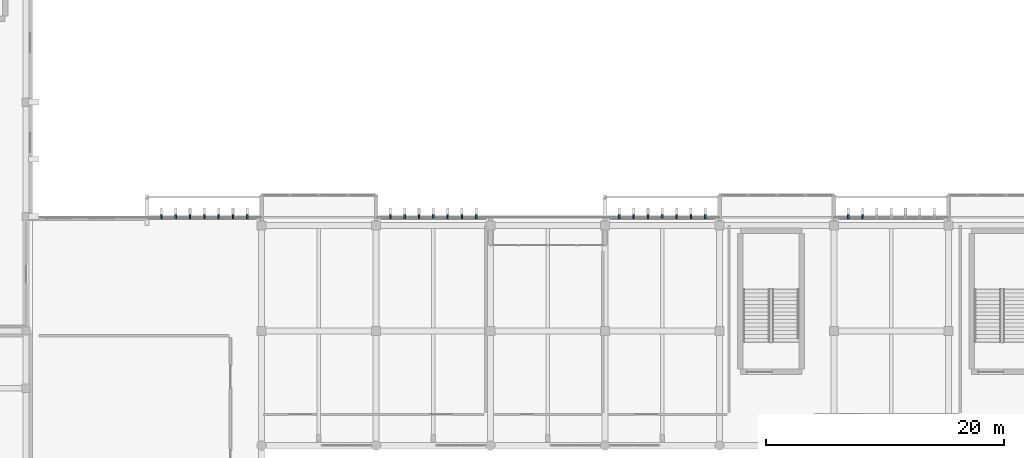
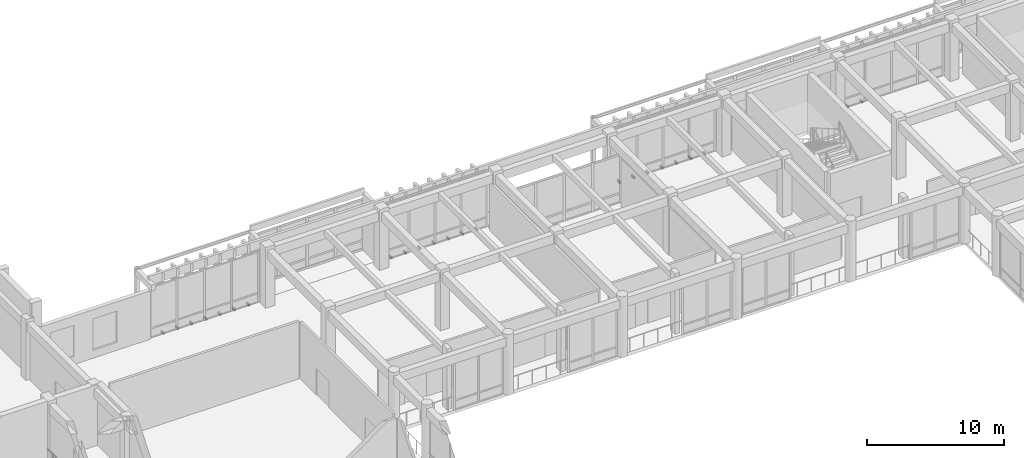
# One storey, part 113 of 134: 23 discrete accessories.
"""IFC4 building model written with IfcOpenShell, lengths in metres."""

from ifc_helpers import new_model, si_unit, direction, frame, origin, origin_2d, place, context, subcontext, project, spatial, rectangle, extrude, material, type_object, element, save


model = new_model("IFC4")

# Units and contexts
model_context = context("Model", 3, precision=1e-05, world=origin(), true_north=direction((0.0, 1.0)))
body_context = subcontext(model_context, "Body", "Model", "MODEL_VIEW")
ifc_project = project(units=[si_unit("LENGTHUNIT", "METRE"), si_unit("AREAUNIT", "SQUARE_METRE"), si_unit("VOLUMEUNIT", "CUBIC_METRE"), si_unit("PLANEANGLEUNIT", "RADIAN"), si_unit("MASSUNIT", "GRAM", prefix="KILO")], contexts=[model_context])

# Site, building, storey
site_placement = place(None, origin())
site = spatial("IfcSite", under=ifc_project, at=site_placement, CompositionType="ELEMENT")
building_placement = place(site_placement, origin())
building = spatial("IfcBuilding", under=site, at=building_placement, Name="Nakhvara Creek Congress Hotel", CompositionType="ELEMENT")
storey_placement = place(building_placement, frame((0.0, 0.0, 6.0)))
storey = spatial("IfcBuildingStorey", under=building, at=storey_placement, Name="L01", CompositionType="ELEMENT", Elevation=6.0)

# Discrete accessories
ifc_material = material(Name="Brushed stainless steel 316L", Category="steel")
discrete_accessory_type = type_object("IfcDiscreteAccessoryType", Name="ACC-BRK-SS316", PredefinedType="BRACKET", material=ifc_material)
for number, where, z_axis, x_axis, name in (
    (1, (68.39990234375, 95.97998046875, -0.10986328125), (0.0, 0.0, 1.0), (1.0, 0.0, 0.0), "Stainless Fin Bracket BK01-0186"),
    (2, (69.60009765625, 95.97998046875, -0.10986328125), (0.0, 0.0, 1.0), (1.0, 0.0, 0.0), "Stainless Fin Bracket BK01-0187"),
    (3, (70.800048828125, 95.97998046875, -0.10986328125), (0.0, 0.0, 1.0), (1.0, 0.0, 0.0), "Stainless Fin Bracket BK01-0188"),
    (4, (72.0, 95.97998046875, -0.10986328125), (0.0, 0.0, 1.0), (1.0, 0.0, 0.0), "Stainless Fin Bracket BK01-0189"),
    (5, (73.199951171875, 95.97998046875, -0.10986328125), (0.0, 0.0, 1.0), (1.0, 0.0, 0.0), "Stainless Fin Bracket BK01-0190"),
    (6, (74.39990234375, 95.97998046875, -0.10986328125), (0.0, 0.0, 1.0), (1.0, 0.0, 0.0), "Stainless Fin Bracket BK01-0191"),
    (7, (75.60009765625, 95.97998046875, -0.10986328125), (0.0, 0.0, 1.0), (1.0, 0.0, 0.0), "Stainless Fin Bracket BK01-0192"),
    (8, (87.60009765625, 95.97998046875, -0.10986328125), (0.0, 0.0, 1.0), (1.0, 0.0, 0.0), "Stainless Fin Bracket BK01-0193"),
    (9, (88.800048828125, 95.97998046875, -0.10986328125), (0.0, 0.0, 1.0), (1.0, 0.0, 0.0), "Stainless Fin Bracket BK01-0194"),
    (10, (90.0, 95.97998046875, -0.10986328125), (0.0, 0.0, 1.0), (1.0, 0.0, 0.0), "Stainless Fin Bracket BK01-0195"),
    (11, (91.199951171875, 95.97998046875, -0.10986328125), (0.0, 0.0, 1.0), (1.0, 0.0, 0.0), "Stainless Fin Bracket BK01-0196"),
    (12, (92.39990234375, 95.97998046875, -0.10986328125), (0.0, 0.0, 1.0), (1.0, 0.0, 0.0), "Stainless Fin Bracket BK01-0197"),
    (13, (93.60009765625, 95.97998046875, -0.10986328125), (0.0, 0.0, 1.0), (1.0, 0.0, 0.0), "Stainless Fin Bracket BK01-0198"),
    (14, (94.800048828125, 95.97998046875, -0.10986328125), (0.0, 0.0, 1.0), (1.0, 0.0, 0.0), "Stainless Fin Bracket BK01-0199"),
    (15, (106.800048828125, 95.97998046875, -0.10986328125), (0.0, 0.0, 1.0), (1.0, 0.0, 0.0), "Stainless Fin Bracket BK01-0200"),
    (16, (108.0, 95.97998046875, -0.10986328125), (0.0, 0.0, 1.0), (1.0, 0.0, 0.0), "Stainless Fin Bracket BK01-0201"),
    (17, (109.199951171875, 95.97998046875, -0.10986328125), (0.0, 0.0, 1.0), (1.0, 0.0, 0.0), "Stainless Fin Bracket BK01-0202"),
    (18, (110.39990234375, 95.97998046875, -0.10986328125), (0.0, 0.0, 1.0), (1.0, 0.0, 0.0), "Stainless Fin Bracket BK01-0203"),
    (19, (111.60009765625, 95.97998046875, -0.10986328125), (0.0, 0.0, 1.0), (1.0, 0.0, 0.0), "Stainless Fin Bracket BK01-0204"),
    (20, (112.800048828125, 95.97998046875, -0.10986328125), (0.0, 0.0, 1.0), (1.0, 0.0, 0.0), "Stainless Fin Bracket BK01-0205"),
    (21, (114.0, 95.97998046875, -0.10986328125), (0.0, 0.0, 1.0), (1.0, 0.0, 0.0), "Stainless Fin Bracket BK01-0206"),
    (22, (126.0, 95.97998046875, -0.10986328125), (0.0, 0.0, 1.0), (1.0, 0.0, 0.0), "Stainless Fin Bracket BK01-0207"),
    (23, (127.199951171875, 95.97998046875, -0.10986328125), (0.0, 0.0, 1.0), (1.0, 0.0, 0.0), "Stainless Fin Bracket BK01-0208"),
):
    element("IfcDiscreteAccessory", number, at=place(storey_placement, frame(where, z_axis=z_axis, x_axis=x_axis)), inside=storey, type_object=discrete_accessory_type, Name=name, PredefinedType="BRACKET", context=body_context, shape_type="SweptSolid", body=[
        extrude(rectangle(XDim=0.139892578125, YDim=0.360107421875, at=origin_2d()), origin(), (0.0, 0.0, 1.0), 0.179931640625),
    ])

save(model, "model.ifc")
